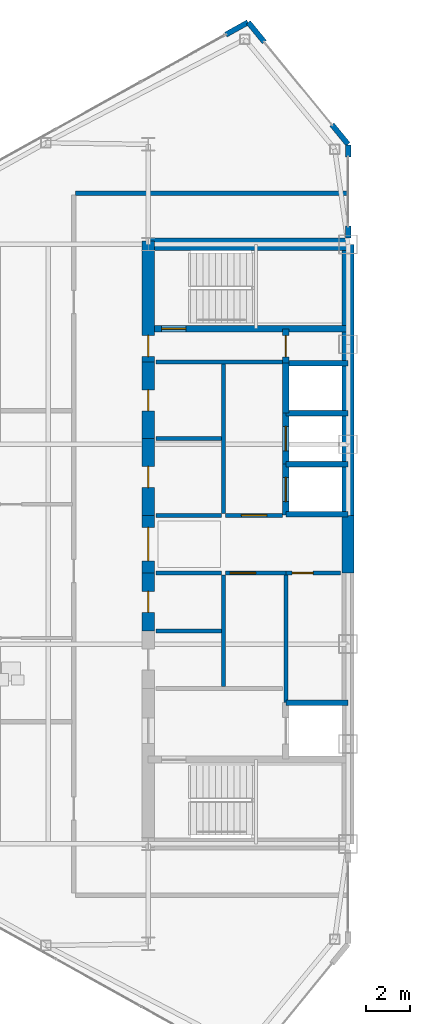
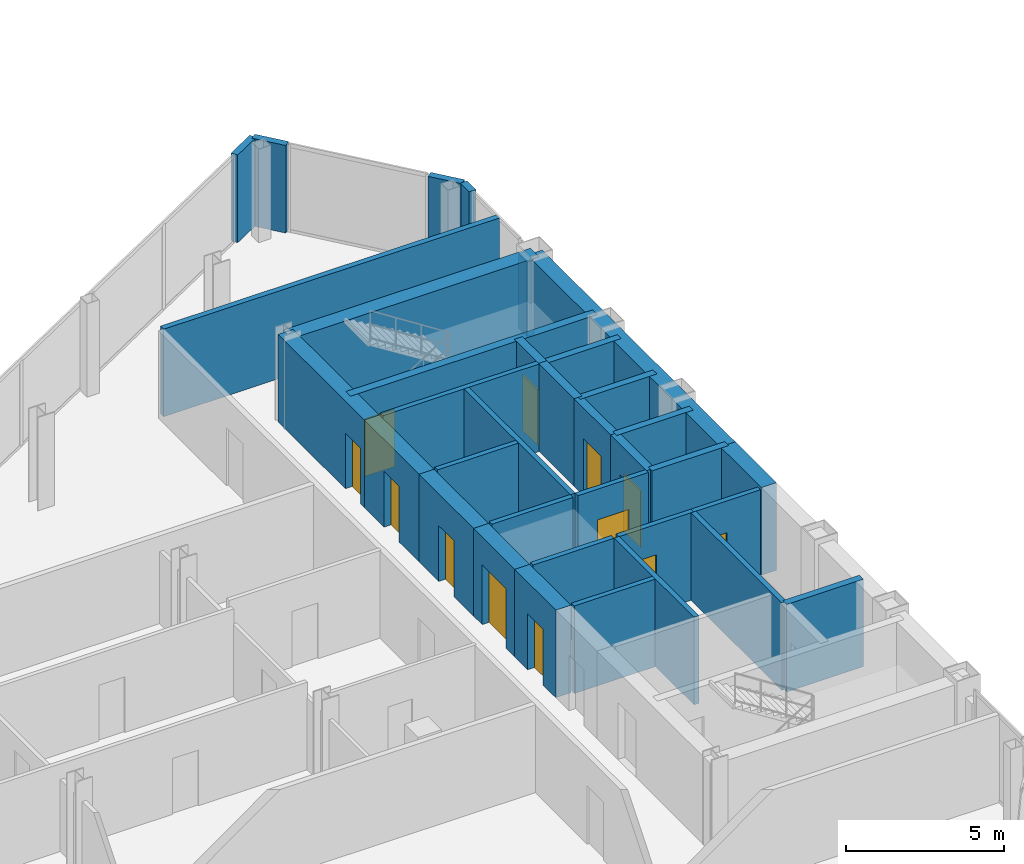
# One storey, part 20 of 26: 35 walls, 12 doors, 12 openings.
"""IFC4 building model written with IfcOpenShell, lengths in metres."""

from ifc_helpers import new_model, si_unit, direction, frame, frame_2d, origin, place, context, subcontext, project, spatial, rectangle, extrude, source, transform, mapped, material, layer, layer_set, type_object, type_shapes, element, fill, save


model = new_model("IFC4")

# Units and contexts
model_context = context("Model", 3, precision=1e-05, world=origin(), true_north=direction((0.0, 1.0)))
body_context = subcontext(model_context, "Body", "Model", "MODEL_VIEW")
ifc_project = project(units=[si_unit("LENGTHUNIT", "METRE"), si_unit("AREAUNIT", "SQUARE_METRE"), si_unit("VOLUMEUNIT", "CUBIC_METRE"), si_unit("PLANEANGLEUNIT", "RADIAN"), si_unit("MASSUNIT", "GRAM", prefix="KILO")], contexts=[model_context])

# Site, building, storey
site_placement = place(None, origin())
site = spatial("IfcSite", under=ifc_project, at=site_placement, CompositionType="ELEMENT")
building_placement = place(site_placement, origin())
building = spatial("IfcBuilding", under=site, at=building_placement, Name="Seokmaru Belvedere", CompositionType="ELEMENT")
storey_placement = place(building_placement, frame((0.0, 0.0, 167.10009765625)))
storey = spatial("IfcBuildingStorey", under=building, at=storey_placement, Name="L44", CompositionType="ELEMENT", Elevation=167.10009765625)

# Walls
ifc_material_1 = material(Name="Fire-Rated Gypsum Shaftwall")
ifc_layer_1 = layer(ifc_material_1, 0.179931640625)
ifc_layer_set_1 = layer_set([ifc_layer_1], Name="Fire-Rated Gypsum Shaftwall")
wall_type_1 = type_object("IfcWallType", Name="Core Service Fire Partition 180", PredefinedType="PARTITIONING", material=ifc_layer_set_1)
wall_1_placement = place(storey_placement, frame((-36.14990234375, 8.199951171875, 0.0), z_axis=(0.0, 0.0, 1.0), x_axis=(1.0, 0.0, 0.0)))
element("IfcWall", 1, at=wall_1_placement, inside=storey, type_object=wall_type_1, Name="L44 West Smokeproof Vestibule Partition", PredefinedType="PARTITIONING", context=body_context, shape_type="SweptSolid", body=[
    extrude(rectangle(XDim=5.699951171875, YDim=0.179931640625, at=frame_2d((2.85009765625, 0.0))), origin(), (0.0, 0.0, 1.0), 3.3798828125),
])
wall_2_placement = place(storey_placement, frame((-33.10009765625, -6.419921875, 0.0), z_axis=(0.0, 0.0, 1.0), x_axis=(0.0, 1.0, 0.0)))
element("IfcWall", 2, at=wall_2_placement, inside=storey, type_object=wall_type_1, Name="L44 West South Core Service Back Wall", PredefinedType="PARTITIONING", context=body_context, shape_type="SweptSolid", body=[
    extrude(rectangle(XDim=5.0400390625, YDim=0.179931640625, at=frame_2d((2.52001953125, 0.0))), origin(), (0.0, 0.0, 1.0), 3.3798828125),
])
wall_3_placement = place(storey_placement, frame((-33.10009765625, 1.3798828125, 0.0), z_axis=(0.0, 0.0, 1.0), x_axis=(0.0, 1.0, 0.0)))
element("IfcWall", 3, at=wall_3_placement, inside=storey, type_object=wall_type_1, Name="L44 West North Core Service Back Wall", PredefinedType="PARTITIONING", context=body_context, shape_type="SweptSolid", body=[
    extrude(rectangle(XDim=6.740234375, YDim=0.179931640625, at=frame_2d((3.3701171875, 0.0))), origin(), (0.0, 0.0, 1.0), 3.3798828125),
])

# Wall, opening, door
wall_4_placement = place(storey_placement, frame((-30.300048828125, -1.300048828125, 0.0), z_axis=(0.0, 0.0, 1.0), x_axis=(1.0, 0.0, 0.0)))
wall_4 = element("IfcWall", 4, at=wall_4_placement, inside=storey, type_object=wall_type_1, Name="L44 West South Parcel Vault Foyer Wall", PredefinedType="PARTITIONING", context=body_context, shape_type="SweptSolid", body=[
    extrude(rectangle(XDim=2.449951171875, YDim=0.179931640625, at=frame_2d((1.22509765625, 0.0))), origin(), (0.0, 0.0, 1.0), 3.3798828125),
])
opening_1_placement = place(wall_4_placement, frame((0.27490234375, 0.0, 0.0)))
opening_1 = element("IfcOpeningElement", 5, at=opening_1_placement, cuts=wall_4, Name="Opening D04", PredefinedType="OPENING", context=body_context, shape_type="SweptSolid", body=[
    extrude(rectangle(XDim=0.949951171875, YDim=2.14990234375, at=frame_2d((0.47509765625, 1.074951171875))), frame((0.0, 0.10009765625, 0.0), z_axis=(0.0, -1.0, 0.0), x_axis=(1.0, 0.0, 0.0)), (0.0, 0.0, 1.0), 0.199951171875),
])
ifc_material_2 = material(Name="Fire-Rated Steel Leaf", Category="steel")
door_type_1 = type_object("IfcDoorType", Name="Core Service Room Fire Door 950x2150", OperationType="NOTDEFINED", PredefinedType="DOOR", material=ifc_material_2)
shared_shape_1 = source(origin(), body_context, "Body", "SweptSolid", [
    extrude(rectangle(XDim=0.949951171875, YDim=2.14990234375, at=frame_2d((0.47509765625, 1.074951171875))), frame((0.0, 0.02490234375, 0.0), z_axis=(0.0, -1.0, 0.0), x_axis=(1.0, 0.0, 0.0)), (0.0, 0.0, 1.0), 0.050048828125),
])
type_shapes(door_type_1, [shared_shape_1])
door_1_placement = place(opening_1_placement, origin())
door_1 = element("IfcDoor", 6, at=door_1_placement, inside=storey, type_object=door_type_1, Name="L44 West South Parcel Vault Door", OperationType="SINGLE_SWING_LEFT", OverallHeight=2.14990234375, OverallWidth=0.949951171875, PredefinedType="DOOR", context=body_context, shape_type="MappedRepresentation", body=[
    mapped(shared_shape_1, transform((0.0, 0.0, 0.0), scale=1.0)),
])
fill(opening_1, door_1)

wall_5_placement = place(storey_placement, frame((-33.02001953125, -1.300048828125, 0.0), z_axis=(0.0, 0.0, 1.0), x_axis=(1.0, 0.0, 0.0)))
wall_5 = element("IfcWall", 7, at=wall_5_placement, inside=storey, type_object=wall_type_1, Name="L44 West South Wine Cellar Foyer Wall", PredefinedType="PARTITIONING", context=body_context, shape_type="SweptSolid", body=[
    extrude(rectangle(XDim=2.719970703125, YDim=0.179931640625, at=frame_2d((1.35986328125, 0.0))), origin(), (0.0, 0.0, 1.0), 3.3798828125),
])
opening_2_placement = place(wall_5_placement, frame((0.2099609375, 0.0, 0.0)))
opening_2 = element("IfcOpeningElement", 8, at=opening_2_placement, cuts=wall_5, Name="Opening D02", PredefinedType="OPENING", context=body_context, shape_type="SweptSolid", body=[
    extrude(rectangle(XDim=1.14990234375, YDim=2.199951171875, at=frame_2d((0.574951171875, 1.10009765625))), frame((0.0, 0.10009765625, 0.0), z_axis=(0.0, -1.0, 0.0), x_axis=(1.0, 0.0, 0.0)), (0.0, 0.0, 1.0), 0.199951171875),
])
door_type_2 = type_object("IfcDoorType", Name="Lobby and Vestibule Fire Door 1150x2200", OperationType="NOTDEFINED", PredefinedType="DOOR", material=ifc_material_2)
shared_shape_2 = source(origin(), body_context, "Body", "SweptSolid", [
    extrude(rectangle(XDim=1.14990234375, YDim=2.199951171875, at=frame_2d((0.574951171875, 1.10009765625))), frame((0.0, 0.02490234375, 0.0), z_axis=(0.0, -1.0, 0.0), x_axis=(1.0, 0.0, 0.0)), (0.0, 0.0, 1.0), 0.050048828125),
])
type_shapes(door_type_2, [shared_shape_2])
door_2_placement = place(opening_2_placement, origin())
door_2 = element("IfcDoor", 9, at=door_2_placement, inside=storey, type_object=door_type_2, Name="L44 West South Core Foyer Door", OperationType="SINGLE_SWING_LEFT", OverallHeight=2.199951171875, OverallWidth=1.14990234375, PredefinedType="DOOR", context=body_context, shape_type="MappedRepresentation", body=[
    mapped(shared_shape_2, transform((0.0, 0.0, 0.0), scale=1.0)),
])
fill(opening_2, door_2)

# Wall
wall_6_placement = place(storey_placement, frame((-30.300048828125, -7.1201171875, 0.0), z_axis=(0.0, 0.0, 1.0), x_axis=(0.0, 1.0, 0.0)))
element("IfcWall", 10, at=wall_6_placement, inside=storey, type_object=wall_type_1, Name="L44 West Freed Shaft Vault Partition", PredefinedType="PARTITIONING", context=body_context, shape_type="SweptSolid", body=[
    extrude(rectangle(XDim=5.740234375, YDim=0.179931640625, at=frame_2d((2.8701171875, 0.0))), origin(), (0.0, 0.0, 1.0), 3.3798828125),
])

# Wall, opening, door
wall_7_placement = place(storey_placement, frame((-33.02001953125, 1.300048828125, 0.0), z_axis=(0.0, 0.0, 1.0), x_axis=(1.0, 0.0, 0.0)))
wall_7 = element("IfcWall", 11, at=wall_7_placement, inside=storey, type_object=wall_type_1, Name="L44 West North Lift Lobby Foyer Wall", PredefinedType="PARTITIONING", context=body_context, shape_type="SweptSolid", body=[
    extrude(rectangle(XDim=2.570068359375, YDim=0.179931640625, at=frame_2d((1.28515625, 0.0))), origin(), (0.0, 0.0, 1.0), 3.3798828125),
])
opening_3_placement = place(wall_7_placement, frame((0.7099609375, 0.0, 0.0)))
opening_3 = element("IfcOpeningElement", 12, at=opening_3_placement, cuts=wall_7, Name="Opening D02", PredefinedType="OPENING", context=body_context, shape_type="SweptSolid", body=[
    extrude(rectangle(XDim=1.14990234375, YDim=2.199951171875, at=frame_2d((0.574951171875, 1.10009765625))), frame((0.0, 0.10009765625, 0.0), z_axis=(0.0, -1.0, 0.0), x_axis=(1.0, 0.0, 0.0)), (0.0, 0.0, 1.0), 0.199951171875),
])
door_3_placement = place(opening_3_placement, origin())
door_3 = element("IfcDoor", 13, at=door_3_placement, inside=storey, type_object=door_type_2, Name="L44 West North Lift Lobby Door", OperationType="SINGLE_SWING_RIGHT", OverallHeight=2.199951171875, OverallWidth=1.14990234375, PredefinedType="DOOR", context=body_context, shape_type="MappedRepresentation", body=[
    mapped(shared_shape_2, transform((0.0, 0.0, 0.0), scale=1.0)),
])
fill(opening_3, door_3)

# Walls
for number, where, z_axis, x_axis, name in (
    (14, (-36.14990234375, -1.300048828125, 0.0), (0.0, 0.0, 1.0), (1.0, 0.0, 0.0), "L44 West Foyer Side Wall S"),
    (15, (-36.14990234375, 1.300048828125, 0.0), (0.0, 0.0, 1.0), (1.0, 0.0, 0.0), "L44 West Foyer Side Wall N"),
    (16, (-36.14990234375, -3.89990234375, 0.0), (0.0, 0.0, 1.0), (1.0, 0.0, 0.0), "L44 West Core Service Partition 1"),
    (17, (-36.14990234375, 4.75, 0.0), (0.0, 0.0, 1.0), (1.0, 0.0, 0.0), "L44 West Core Service Partition 2"),
):
    element("IfcWall", number, at=place(storey_placement, frame(where, z_axis=z_axis, x_axis=x_axis)), inside=storey, type_object=wall_type_1, Name=name, PredefinedType="PARTITIONING", context=body_context, shape_type="SweptSolid", body=[
        extrude(rectangle(XDim=2.949951171875, YDim=0.179931640625, at=frame_2d((1.47509765625, 0.0))), origin(), (0.0, 0.0, 1.0), 3.3798828125),
    ])
ifc_material_3 = material(Name="Concrete C50 (50 MPa)", Category="concrete")
ifc_layer_2 = layer(ifc_material_3, 0.25)
ifc_layer_set_2 = layer_set([ifc_layer_2], Name="Concrete C50 (50 MPa)")
wall_type_2 = type_object("IfcWallType", Name="Hoistway Transverse Concrete Divider Wall 250", PredefinedType="SHEAR", material=ifc_layer_set_2)
for number, where, z_axis, x_axis, name in (
    (18, (-30.300048828125, -7.14990234375, 0.0), (0.0, 0.0, 1.0), (1.0, 0.0, 0.0), "L44 West Hoistway Divider Core Wall 1"),
    (19, (-30.300048828125, 1.35009765625, 0.0), (0.0, 0.0, 1.0), (1.0, 0.0, 0.0), "L44 West Hoistway Divider Core Wall 2"),
    (20, (-30.300048828125, 3.60009765625, 0.0), (0.0, 0.0, 1.0), (1.0, 0.0, 0.0), "L44 West Hoistway Divider Core Wall 3"),
    (21, (-30.300048828125, 5.89990234375, 0.0), (0.0, 0.0, 1.0), (1.0, 0.0, 0.0), "L44 West Hoistway Divider Core Wall 4"),
    (22, (-30.300048828125, 8.14990234375, 0.0), (0.0, 0.0, 1.0), (1.0, 0.0, 0.0), "L44 West Hoistway Divider Core Wall 5"),
):
    element("IfcWall", number, at=place(storey_placement, frame(where, z_axis=z_axis, x_axis=x_axis)), inside=storey, type_object=wall_type_2, Name=name, PredefinedType="SHEAR", context=body_context, shape_type="SweptSolid", body=[
        extrude(rectangle(XDim=2.800048828125, YDim=0.25, at=frame_2d((1.39990234375, 0.0))), origin(), (0.0, 0.0, 1.0), 3.3798828125),
    ])
ifc_layer_3 = layer(ifc_material_1, 0.199951171875)
ifc_layer_set_3 = layer_set([ifc_layer_3], Name="Fire-Rated Gypsum Shaftwall")
wall_type_3 = type_object("IfcWallType", Name="Inter-Tenancy Fire Compartment Partition 200", PredefinedType="PARTITIONING", material=ifc_layer_set_3)
wall_8_placement = place(storey_placement, frame((-39.764892578125, 15.800048828125, 0.0), z_axis=(0.0, 0.0, 1.0), x_axis=(1.0, 0.0, 0.0)))
element("IfcWall", 23, at=wall_8_placement, inside=storey, type_object=wall_type_3, Name="L44 Interior Partition 019", PredefinedType="PARTITIONING", context=body_context, shape_type="SweptSolid", body=[
    extrude(rectangle(XDim=12.264892578125, YDim=0.199951171875, at=frame_2d((6.13232421875, 0.0))), origin(), (0.0, 0.0, 1.0), 3.3798828125),
])

# Wall, opening, door
ifc_layer_4 = layer(ifc_material_3, 0.300048828125)
ifc_layer_set_4 = layer_set([ifc_layer_4], Name="Concrete C50 (50 MPa)")
wall_type_4 = type_object("IfcWallType", Name="Internal Core Stair and Hoistway Wall 300", PredefinedType="SHEAR", material=ifc_layer_set_4)
wall_9_placement = place(storey_placement, frame((-36.5, 9.699951171875, 0.0), z_axis=(0.0, 0.0, 1.0), x_axis=(1.0, 0.0, 0.0)))
wall_9 = element("IfcWall", 24, at=wall_9_placement, inside=storey, type_object=wall_type_4, Name="L44 West Stair ST-2 Enclosure Wall", PredefinedType="SHEAR", context=body_context, shape_type="SweptSolid", body=[
    extrude(rectangle(XDim=9.0, YDim=0.300048828125, at=frame_2d((4.5, 0.0))), origin(), (0.0, 0.0, 1.0), 3.3798828125),
])
opening_4_placement = place(wall_9_placement, frame((0.60009765625, 0.0, 0.0)))
opening_4 = element("IfcOpeningElement", 25, at=opening_4_placement, cuts=wall_9, Name="Opening D01", PredefinedType="OPENING", context=body_context, shape_type="SweptSolid", body=[
    extrude(rectangle(XDim=1.10009765625, YDim=2.199951171875, at=frame_2d((0.550048828125, 1.10009765625))), frame((0.0, 0.16015625, 0.0), z_axis=(0.0, -1.0, 0.0), x_axis=(1.0, 0.0, 0.0)), (0.0, 0.0, 1.0), 0.320068359375),
])
door_type_3 = type_object("IfcDoorType", Name="Special Escape Stair Smokeproof Fire Door 1100x2200", OperationType="NOTDEFINED", PredefinedType="DOOR", material=ifc_material_2)
shared_shape_3 = source(origin(), body_context, "Body", "SweptSolid", [
    extrude(rectangle(XDim=1.10009765625, YDim=2.199951171875, at=frame_2d((0.550048828125, 1.10009765625))), frame((0.0, 0.02490234375, 0.0), z_axis=(0.0, -1.0, 0.0), x_axis=(1.0, 0.0, 0.0)), (0.0, 0.0, 1.0), 0.050048828125),
])
type_shapes(door_type_3, [shared_shape_3])
door_4_placement = place(opening_4_placement, origin())
door_4 = element("IfcDoor", 26, at=door_4_placement, inside=storey, type_object=door_type_3, Name="L44 West Special Escape Stair ST-2 Door", OperationType="SINGLE_SWING_RIGHT", OverallHeight=2.199951171875, OverallWidth=1.10009765625, PredefinedType="DOOR", context=body_context, shape_type="MappedRepresentation", body=[
    mapped(shared_shape_3, transform((0.0, 0.0, 0.0), scale=1.0)),
])
fill(opening_4, door_4)

wall_10_placement = place(storey_placement, frame((-30.300048828125, 1.320068359375, 0.0), z_axis=(0.0, 0.0, 1.0), x_axis=(0.0, 1.0, 0.0)))
wall_10 = element("IfcWall", 27, at=wall_10_placement, inside=storey, type_object=wall_type_4, Name="L44 West North Hoistway Wall PH1", PredefinedType="SHEAR", context=body_context, shape_type="SweptSolid", body=[
    extrude(rectangle(XDim=2.280029296875, YDim=0.300048828125, at=frame_2d((1.14013671875, 0.0))), origin(), (0.0, 0.0, 1.0), 3.3798828125),
])
opening_5_placement = place(wall_10_placement, frame((0.590087890625, 0.0, 0.0)))
opening_5 = element("IfcOpeningElement", 28, at=opening_5_placement, cuts=wall_10, Name="Opening LD1", PredefinedType="OPENING", context=body_context, shape_type="SweptSolid", body=[
    extrude(rectangle(XDim=1.10009765625, YDim=2.199951171875, at=frame_2d((0.550048828125, 1.10009765625))), frame((0.0, 0.16015625, 0.0), z_axis=(0.0, -1.0, 0.0), x_axis=(1.0, 0.0, 0.0)), (0.0, 0.0, 1.0), 0.320068359375),
])
ifc_material_4 = material(Name="Stainless Steel 316", Category="steel")
door_type_4 = type_object("IfcDoorType", Name="Passenger Lift Sliding Landing Door 1100x2200", OperationType="DOUBLE_DOOR_SLIDING", PredefinedType="DOOR", material=ifc_material_4)
shared_shape_4 = source(origin(), body_context, "Body", "SweptSolid", [
    extrude(rectangle(XDim=1.10009765625, YDim=2.199951171875, at=frame_2d((0.550048828125, 1.10009765625))), frame((0.0, 0.02490234375, 0.0), z_axis=(0.0, -1.0, 0.0), x_axis=(1.0, 0.0, 0.0)), (0.0, 0.0, 1.0), 0.050048828125),
])
type_shapes(door_type_4, [shared_shape_4])
door_5_placement = place(opening_5_placement, origin())
door_5 = element("IfcDoor", 29, at=door_5_placement, inside=storey, type_object=door_type_4, Name="L44 West High-Rise Lift PH-1 Landing Door", OperationType="DOUBLE_DOOR_SLIDING", OverallHeight=2.199951171875, OverallWidth=1.10009765625, PredefinedType="DOOR", context=body_context, shape_type="MappedRepresentation", body=[
    mapped(shared_shape_4, transform((0.0, 0.0, 0.0), scale=1.0)),
])
fill(opening_5, door_5)

wall_11_placement = place(storey_placement, frame((-30.300048828125, 3.60009765625, 0.0), z_axis=(0.0, 0.0, 1.0), x_axis=(0.0, 1.0, 0.0)))
wall_11 = element("IfcWall", 30, at=wall_11_placement, inside=storey, type_object=wall_type_4, Name="L44 West North Hoistway Wall PH2", PredefinedType="SHEAR", context=body_context, shape_type="SweptSolid", body=[
    extrude(rectangle(XDim=2.2998046875, YDim=0.300048828125, at=frame_2d((1.14990234375, 0.0))), origin(), (0.0, 0.0, 1.0), 3.3798828125),
])
opening_6_placement = place(wall_11_placement, frame((0.60009765625, 0.0, 0.0)))
opening_6 = element("IfcOpeningElement", 31, at=opening_6_placement, cuts=wall_11, Name="Opening LD1", PredefinedType="OPENING", context=body_context, shape_type="SweptSolid", body=[
    extrude(rectangle(XDim=1.10009765625, YDim=2.199951171875, at=frame_2d((0.550048828125, 1.10009765625))), frame((0.0, 0.16015625, 0.0), z_axis=(0.0, -1.0, 0.0), x_axis=(1.0, 0.0, 0.0)), (0.0, 0.0, 1.0), 0.320068359375),
])
door_6_placement = place(opening_6_placement, origin())
door_6 = element("IfcDoor", 32, at=door_6_placement, inside=storey, type_object=door_type_4, Name="L44 West High-Rise Lift PH-2 Landing Door", OperationType="DOUBLE_DOOR_SLIDING", OverallHeight=2.199951171875, OverallWidth=1.10009765625, PredefinedType="DOOR", context=body_context, shape_type="MappedRepresentation", body=[
    mapped(shared_shape_4, transform((0.0, 0.0, 0.0), scale=1.0)),
])
fill(opening_6, door_6)

# Wall
wall_12_placement = place(storey_placement, frame((-30.300048828125, 5.89990234375, 0.0), z_axis=(0.0, 0.0, 1.0), x_axis=(0.0, 1.0, 0.0)))
element("IfcWall", 33, at=wall_12_placement, inside=storey, type_object=wall_type_4, Name="L44 West North Hoistway Wall OBS", PredefinedType="SHEAR", context=body_context, shape_type="SweptSolid", body=[
    extrude(rectangle(XDim=2.25, YDim=0.300048828125, at=frame_2d((1.125, 0.0))), origin(), (0.0, 0.0, 1.0), 3.3798828125),
])

# Wall, opening, door
wall_13_placement = place(storey_placement, frame((-30.300048828125, 8.14990234375, 0.0), z_axis=(0.0, 0.0, 1.0), x_axis=(0.0, 1.0, 0.0)))
wall_13 = element("IfcWall", 34, at=wall_13_placement, inside=storey, type_object=wall_type_4, Name="L44 West Electrical Riser Front Wall", PredefinedType="SHEAR", context=body_context, shape_type="SweptSolid", body=[
    extrude(rectangle(XDim=1.530029296875, YDim=0.300048828125, at=frame_2d((0.76513671875, 0.0))), origin(), (0.0, 0.0, 1.0), 3.3798828125),
])
opening_7_placement = place(wall_13_placement, frame((0.284912109375, 0.0, 0.0)))
opening_7 = element("IfcOpeningElement", 35, at=opening_7_placement, cuts=wall_13, Name="Opening D04", PredefinedType="OPENING", context=body_context, shape_type="SweptSolid", body=[
    extrude(rectangle(XDim=0.949951171875, YDim=2.14990234375, at=frame_2d((0.47509765625, 1.074951171875))), frame((0.0, 0.16015625, 0.0), z_axis=(0.0, -1.0, 0.0), x_axis=(1.0, 0.0, 0.0)), (0.0, 0.0, 1.0), 0.320068359375),
])
door_7_placement = place(opening_7_placement, origin())
door_7 = element("IfcDoor", 36, at=door_7_placement, inside=storey, type_object=door_type_1, Name="L44 West Electrical Riser Access Door", OperationType="SINGLE_SWING_LEFT", OverallHeight=2.14990234375, OverallWidth=0.949951171875, PredefinedType="DOOR", context=body_context, shape_type="MappedRepresentation", body=[
    mapped(shared_shape_1, transform((0.0, 0.0, 0.0), scale=1.0)),
])
fill(opening_7, door_7)

# Walls
ifc_layer_5 = layer(ifc_material_3, 0.550048828125)
ifc_layer_set_5 = layer_set([ifc_layer_5], Name="Concrete C50 (50 MPa)")
wall_type_5 = type_object("IfcWallType", Name="Mid-High Reinforced Concrete Core Wall 550", PredefinedType="SHEAR", material=ifc_layer_set_5)
wall_14_placement = place(storey_placement, frame((-27.5, 1.300048828125, 0.0), z_axis=(0.0, 0.0, 1.0), x_axis=(0.0, 1.0, 0.0)))
element("IfcWall", 37, at=wall_14_placement, inside=storey, type_object=wall_type_5, Name="L44 West Portal Spine Core Wall North", PredefinedType="SHEAR", context=body_context, shape_type="SweptSolid", body=[
    extrude(rectangle(XDim=12.199951171875, YDim=0.550048828125, at=frame_2d((6.10009765625, 0.0))), origin(), (0.0, 0.0, 1.0), 3.3798828125),
])
wall_15_placement = place(storey_placement, frame((-27.5, -1.300048828125, 0.0), z_axis=(0.0, 0.0, 1.0), x_axis=(0.0, 1.0, 0.0)))
element("IfcWall", 38, at=wall_15_placement, inside=storey, type_object=wall_type_5, Name="L44 West Portal Spine Core Wall Center", PredefinedType="SHEAR", context=body_context, shape_type="SweptSolid", body=[
    extrude(rectangle(XDim=2.60009765625, YDim=0.550048828125, at=frame_2d((1.300048828125, 0.0))), origin(), (0.0, 0.0, 1.0), 3.3798828125),
])
wall_16_placement = place(storey_placement, frame((-36.5, 13.5, 0.0), z_axis=(0.0, 0.0, 1.0), x_axis=(1.0, 0.0, 0.0)))
element("IfcWall", 39, at=wall_16_placement, inside=storey, type_object=wall_type_5, Name="L44 West North Core Wall", PredefinedType="SHEAR", context=body_context, shape_type="SweptSolid", body=[
    extrude(rectangle(XDim=9.0, YDim=0.550048828125, at=frame_2d((4.5, 0.0))), origin(), (0.0, 0.0, 1.0), 3.3798828125),
])

# Wall, opening, door
wall_17_placement = place(storey_placement, frame((-36.5, -1.300048828125, 0.0), z_axis=(0.0, 0.0, 1.0), x_axis=(0.0, 1.0, 0.0)))
wall_17 = element("IfcWall", 40, at=wall_17_placement, inside=storey, type_object=wall_type_5, Name="L44 West West Core Wall FOY", PredefinedType="SHEAR", context=body_context, shape_type="SweptSolid", body=[
    extrude(rectangle(XDim=2.60009765625, YDim=0.550048828125, at=frame_2d((1.300048828125, 0.0))), origin(), (0.0, 0.0, 1.0), 3.3798828125),
])
opening_8_placement = place(wall_17_placement, frame((0.550048828125, 0.0, 0.0)))
opening_8 = element("IfcOpeningElement", 41, at=opening_8_placement, cuts=wall_17, Name="Opening D08", PredefinedType="OPENING", context=body_context, shape_type="SweptSolid", body=[
    extrude(rectangle(XDim=1.5, YDim=2.300048828125, at=frame_2d((0.75, 1.14990234375))), frame((0.0, 0.28515625, 0.0), z_axis=(0.0, -1.0, 0.0), x_axis=(1.0, 0.0, 0.0)), (0.0, 0.0, 1.0), 0.570068359375),
])
door_type_5 = type_object("IfcDoorType", Name="Cross-Corridor Compartment Double Fire Door 1500x2300", OperationType="DOUBLE_SWING_LEFT", PredefinedType="DOOR", material=ifc_material_2)
shared_shape_5 = source(origin(), body_context, "Body", "SweptSolid", [
    extrude(rectangle(XDim=1.5, YDim=2.300048828125, at=frame_2d((0.75, 1.14990234375))), frame((0.0, 0.02490234375, 0.0), z_axis=(0.0, -1.0, 0.0), x_axis=(1.0, 0.0, 0.0)), (0.0, 0.0, 1.0), 0.050048828125),
])
type_shapes(door_type_5, [shared_shape_5])
door_8_placement = place(opening_8_placement, origin())
door_8 = element("IfcDoor", 42, at=door_8_placement, inside=storey, type_object=door_type_5, Name="L44 West Core Foyer Compartment Door", OperationType="DOUBLE_SWING_LEFT", OverallHeight=2.300048828125, OverallWidth=1.5, PredefinedType="DOOR", context=body_context, shape_type="MappedRepresentation", body=[
    mapped(shared_shape_5, transform((0.0, 0.0, 0.0), scale=1.0)),
])
fill(opening_8, door_8)

wall_18_placement = place(storey_placement, frame((-36.5, 8.199951171875, 0.0), z_axis=(0.0, 0.0, 1.0), x_axis=(0.0, 1.0, 0.0)))
wall_18 = element("IfcWall", 43, at=wall_18_placement, inside=storey, type_object=wall_type_5, Name="L44 West West Core Wall VST", PredefinedType="SHEAR", context=body_context, shape_type="SweptSolid", body=[
    extrude(rectangle(XDim=5.449951171875, YDim=0.550048828125, at=frame_2d((2.72509765625, 0.0))), origin(), (0.0, 0.0, 1.0), 3.3798828125),
])
opening_9_placement = place(wall_18_placement, frame((0.2451171875, 0.0, 0.0)))
opening_9 = element("IfcOpeningElement", 44, at=opening_9_placement, cuts=wall_18, Name="Opening D04", PredefinedType="OPENING", context=body_context, shape_type="SweptSolid", body=[
    extrude(rectangle(XDim=0.949951171875, YDim=2.14990234375, at=frame_2d((0.47509765625, 1.074951171875))), frame((0.0, 0.28515625, 0.0), z_axis=(0.0, -1.0, 0.0), x_axis=(1.0, 0.0, 0.0)), (0.0, 0.0, 1.0), 0.570068359375),
])
door_9_placement = place(opening_9_placement, frame((0.949951171875, 0.0, 0.0), z_axis=(0.0, 0.0, 1.0), x_axis=(-1.0, 0.0, 0.0)))
door_9 = element("IfcDoor", 45, at=door_9_placement, inside=storey, type_object=door_type_1, Name="L44 West Smokeproof Vestibule Door", OperationType="SINGLE_SWING_RIGHT", OverallHeight=2.14990234375, OverallWidth=0.949951171875, PredefinedType="DOOR", context=body_context, shape_type="MappedRepresentation", body=[
    mapped(shared_shape_1, transform((0.0, 0.0, 0.0), scale=1.0)),
])
fill(opening_9, door_9)

wall_19_placement = place(storey_placement, frame((-36.5, -3.89990234375, 0.0), z_axis=(0.0, 0.0, 1.0), x_axis=(0.0, 1.0, 0.0)))
wall_19 = element("IfcWall", 46, at=wall_19_placement, inside=storey, type_object=wall_type_5, Name="L44 West West Core Wall CS2", PredefinedType="SHEAR", context=body_context, shape_type="SweptSolid", body=[
    extrude(rectangle(XDim=2.599853515625, YDim=0.550048828125, at=frame_2d((1.2998046875, 0.0))), origin(), (0.0, 0.0, 1.0), 3.3798828125),
])
opening_10_placement = place(wall_19_placement, frame((0.824951171875, 0.0, 0.0)))
opening_10 = element("IfcOpeningElement", 47, at=opening_10_placement, cuts=wall_19, Name="Opening D04", PredefinedType="OPENING", context=body_context, shape_type="SweptSolid", body=[
    extrude(rectangle(XDim=0.949951171875, YDim=2.14990234375, at=frame_2d((0.47509765625, 1.074951171875))), frame((0.0, 0.28515625, 0.0), z_axis=(0.0, -1.0, 0.0), x_axis=(1.0, 0.0, 0.0)), (0.0, 0.0, 1.0), 0.570068359375),
])
door_10_placement = place(opening_10_placement, origin())
door_10 = element("IfcDoor", 48, at=door_10_placement, inside=storey, type_object=door_type_1, Name="L44 West Core Service Room Door 2", OperationType="SINGLE_SWING_RIGHT", OverallHeight=2.14990234375, OverallWidth=0.949951171875, PredefinedType="DOOR", context=body_context, shape_type="MappedRepresentation", body=[
    mapped(shared_shape_1, transform((0.0, 0.0, 0.0), scale=1.0)),
])
fill(opening_10, door_10)

wall_20_placement = place(storey_placement, frame((-36.5, 1.300048828125, 0.0), z_axis=(0.0, 0.0, 1.0), x_axis=(0.0, 1.0, 0.0)))
wall_20 = element("IfcWall", 49, at=wall_20_placement, inside=storey, type_object=wall_type_5, Name="L44 West West Core Wall CS3", PredefinedType="SHEAR", context=body_context, shape_type="SweptSolid", body=[
    extrude(rectangle(XDim=3.449951171875, YDim=0.550048828125, at=frame_2d((1.72509765625, 0.0))), origin(), (0.0, 0.0, 1.0), 3.3798828125),
])
opening_11_placement = place(wall_20_placement, frame((1.25, 0.0, 0.0)))
opening_11 = element("IfcOpeningElement", 50, at=opening_11_placement, cuts=wall_20, Name="Opening D04", PredefinedType="OPENING", context=body_context, shape_type="SweptSolid", body=[
    extrude(rectangle(XDim=0.949951171875, YDim=2.14990234375, at=frame_2d((0.47509765625, 1.074951171875))), frame((0.0, 0.28515625, 0.0), z_axis=(0.0, -1.0, 0.0), x_axis=(1.0, 0.0, 0.0)), (0.0, 0.0, 1.0), 0.570068359375),
])
door_11_placement = place(opening_11_placement, origin())
door_11 = element("IfcDoor", 51, at=door_11_placement, inside=storey, type_object=door_type_1, Name="L44 West Core Service Room Door 3", OperationType="SINGLE_SWING_LEFT", OverallHeight=2.14990234375, OverallWidth=0.949951171875, PredefinedType="DOOR", context=body_context, shape_type="MappedRepresentation", body=[
    mapped(shared_shape_1, transform((0.0, 0.0, 0.0), scale=1.0)),
])
fill(opening_11, door_11)

wall_21_placement = place(storey_placement, frame((-36.5, 4.75, 0.0), z_axis=(0.0, 0.0, 1.0), x_axis=(0.0, 1.0, 0.0)))
wall_21 = element("IfcWall", 52, at=wall_21_placement, inside=storey, type_object=wall_type_5, Name="L44 West West Core Wall CS4", PredefinedType="SHEAR", context=body_context, shape_type="SweptSolid", body=[
    extrude(rectangle(XDim=3.449951171875, YDim=0.550048828125, at=frame_2d((1.72509765625, 0.0))), origin(), (0.0, 0.0, 1.0), 3.3798828125),
])
opening_12_placement = place(wall_21_placement, frame((1.25, 0.0, 0.0)))
opening_12 = element("IfcOpeningElement", 53, at=opening_12_placement, cuts=wall_21, Name="Opening D04", PredefinedType="OPENING", context=body_context, shape_type="SweptSolid", body=[
    extrude(rectangle(XDim=0.949951171875, YDim=2.14990234375, at=frame_2d((0.47509765625, 1.074951171875))), frame((0.0, 0.28515625, 0.0), z_axis=(0.0, -1.0, 0.0), x_axis=(1.0, 0.0, 0.0)), (0.0, 0.0, 1.0), 0.570068359375),
])
door_12_placement = place(opening_12_placement, origin())
door_12 = element("IfcDoor", 54, at=door_12_placement, inside=storey, type_object=door_type_1, Name="L44 West Core Service Room Door 4", OperationType="SINGLE_SWING_RIGHT", OverallHeight=2.14990234375, OverallWidth=0.949951171875, PredefinedType="DOOR", context=body_context, shape_type="MappedRepresentation", body=[
    mapped(shared_shape_1, transform((0.0, 0.0, 0.0), scale=1.0)),
])
fill(opening_12, door_12)

# Walls
ifc_material_5 = material(Name="Anodised Bronze Aluminium", Category="aluminium")
ifc_layer_6 = layer(ifc_material_5, 0.239990234375)
ifc_layer_set_6 = layer_set([ifc_layer_6], Name="Anodised Bronze Aluminium")
wall_type_6 = type_object("IfcWallType", Name="Tower Corner Spandrel Closure Wall 240", PredefinedType="SOLIDWALL", material=ifc_layer_set_6)
wall_22_placement = place(storey_placement, frame((-27.5, 13.780029296875, 0.0), z_axis=(0.0, 0.0, 1.0), x_axis=(0.0, 1.0, 0.0)))
element("IfcWall", 55, at=wall_22_placement, inside=storey, type_object=wall_type_6, Name="L44 W Spine Closure Pier 2A", PredefinedType="SOLIDWALL", context=body_context, shape_type="SweptSolid", body=[
    extrude(rectangle(XDim=0.550048828125, YDim=0.239990234375, at=frame_2d((0.27490234375, 0.0))), origin(), (0.0, 0.0, 1.0), 2.8798828125),
])
wall_23_placement = place(storey_placement, frame((-27.5, 17.429931640625, 0.0), z_axis=(0.0, 0.0, 1.0), x_axis=(0.0, 1.0, 0.0)))
element("IfcWall", 56, at=wall_23_placement, inside=storey, type_object=wall_type_6, Name="L44 W Spine Closure Pier 2B", PredefinedType="SOLIDWALL", context=body_context, shape_type="SweptSolid", body=[
    extrude(rectangle(XDim=0.550048828125, YDim=0.239990234375, at=frame_2d((0.27490234375, 0.0))), origin(), (0.0, 0.0, 1.0), 3.3798828125),
])
for number, where, z_axis, x_axis, name in (
    (57, (-27.50634765625, 18.0078125, 0.0), (0.0, 0.0, 1.0), (-0.633249451965, 0.77394775766, 0.0), "L44 W Corner Closure Pier 2A"),
    (58, (-31.271728515625, 22.60986328125, 0.0), (0.0, 0.0, 1.0), (-0.633249451965, 0.77394775766, 0.0), "L44 W Corner Closure Pier 2B"),
):
    element("IfcWall", number, at=place(storey_placement, frame(where, z_axis=z_axis, x_axis=x_axis)), inside=storey, type_object=wall_type_6, Name=name, PredefinedType="SOLIDWALL", context=body_context, shape_type="SweptSolid", body=[
        extrude(rectangle(XDim=1.14013671875, YDim=0.239990234375, at=frame_2d((0.570068359375, 0.0))), origin(), (0.0, 0.0, 1.0), 3.3798828125),
    ])
wall_24_placement = place(storey_placement, frame((-32.0087890625, 23.4951171875, 0.0), z_axis=(0.0, 0.0, 1.0), x_axis=(-0.87385402111, -0.486188389196, 0.0)))
element("IfcWall", 59, at=wall_24_placement, inside=storey, type_object=wall_type_6, Name="L44 W Corner Closure Pier 3A", PredefinedType="SOLIDWALL", context=body_context, shape_type="SweptSolid", body=[
    extrude(rectangle(XDim=1.139892578125, YDim=0.239990234375, at=frame_2d((0.56982421875, 0.0))), origin(), (0.0, 0.0, 1.0), 3.3798828125),
])

save(model, "model.ifc")
